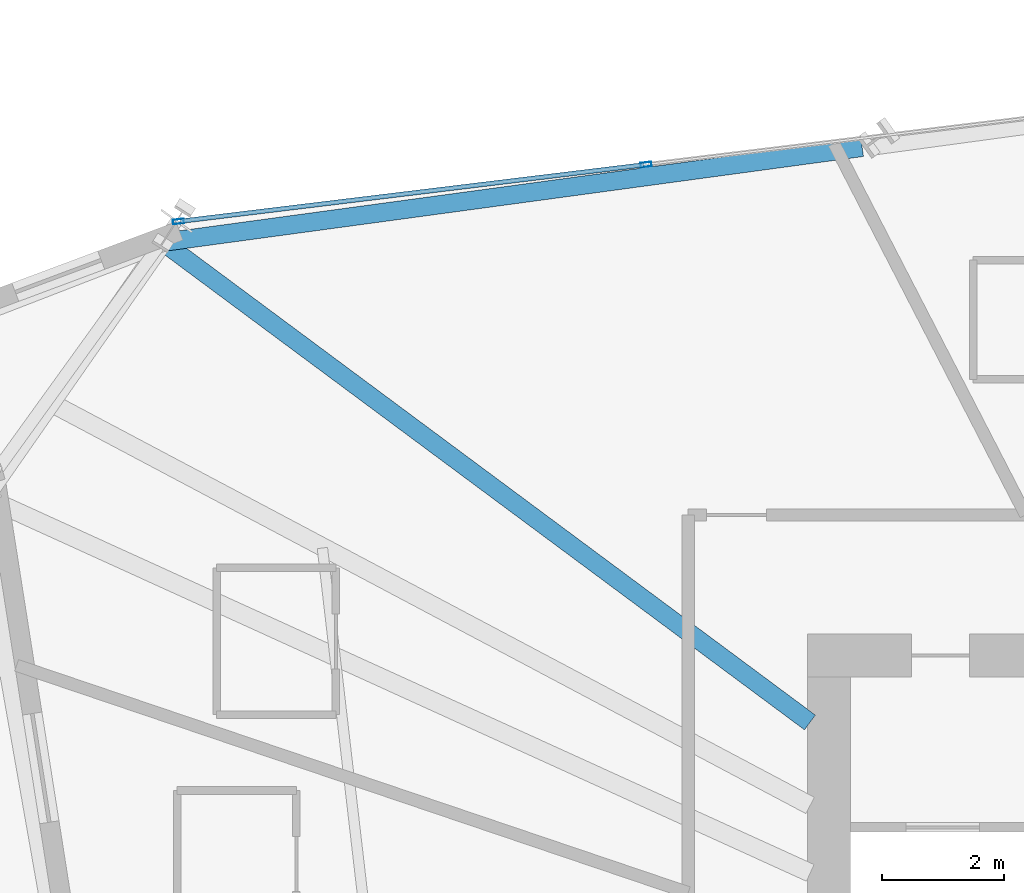
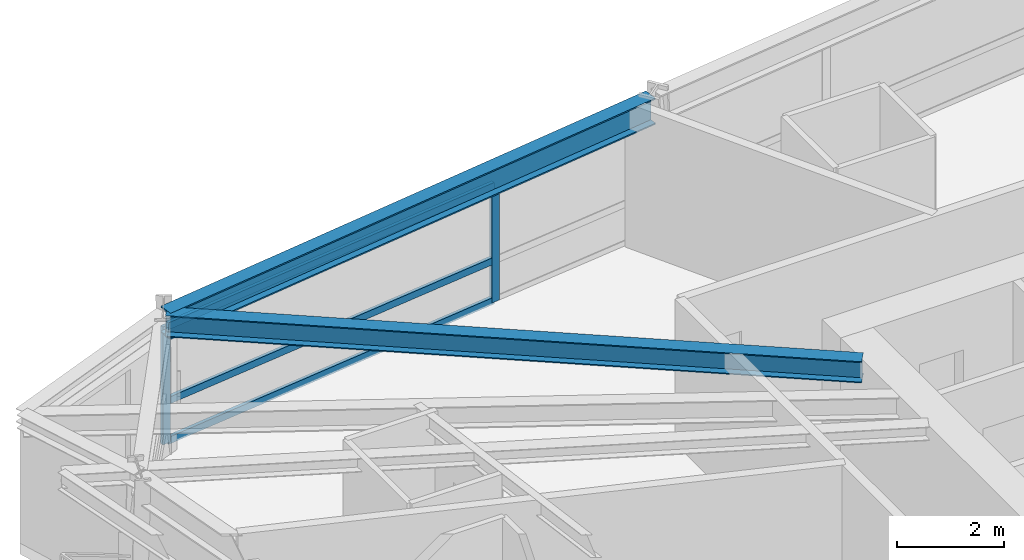
# One storey, part 6 of 18: 5 members, 2 beams, 1 element without a shape of its own.
"""IFC4 building model written with IfcOpenShell, lengths in metres."""

from ifc_helpers import new_model, si_unit, direction, frame, origin, origin_2d, place, context, subcontext, project, spatial, hollow_rectangle, i_section, extrude, source, transform, mapped, material, material_profile, profile_set, type_object, element, aggregate, save


model = new_model("IFC4")

# Units and contexts
model_context = context("Model", 3, precision=1e-05, world=origin(), true_north=direction((0.0, 1.0)))
body_context = subcontext(model_context, "Body", "Model", "MODEL_VIEW")
ifc_project = project(units=[si_unit("LENGTHUNIT", "METRE"), si_unit("AREAUNIT", "SQUARE_METRE"), si_unit("VOLUMEUNIT", "CUBIC_METRE"), si_unit("PLANEANGLEUNIT", "RADIAN"), si_unit("MASSUNIT", "GRAM", prefix="KILO")], contexts=[model_context])

# Site, building, storey
site_placement = place(None, origin())
site = spatial("IfcSite", under=ifc_project, at=site_placement, CompositionType="ELEMENT")
building_placement = place(site_placement, origin())
building = spatial("IfcBuilding", under=site, at=building_placement, Name="Olszyna Solenne Hotel", CompositionType="ELEMENT")
storey_placement = place(building_placement, frame((0.0, 0.0, 123.449951171875)))
storey = spatial("IfcBuildingStorey", under=building, at=storey_placement, Name="L32", CompositionType="ELEMENT", Elevation=123.449951171875)

# Beams
ifc_material_1 = material(Name="Steel S355J2", Category="steel")
ifc_material_profile_1 = material_profile(ifc_material_1, i_section(OverallWidth=0.300048828125, OverallDepth=0.60009765625, WebThickness=0.015380859375, FlangeThickness=0.030029296875, at=origin_2d()), Name="HEB 600", Category="load-bearing")
ifc_profile_set_1 = profile_set([ifc_material_profile_1], Name="Steel S355J2")
beam_type_1 = type_object("IfcBeamType", Name="BM-S2", PredefinedType="BEAM", material=ifc_profile_set_1)
shared_shape_1 = source(origin(), body_context, "Body", "SweptSolid", [
    extrude(i_section(OverallWidth=0.300048828125, OverallDepth=0.60009765625, WebThickness=0.015380859375, FlangeThickness=0.030029296875, at=origin_2d()), origin(), (0.0, 0.0, 1.0), 11.478759765625),
])
beam_1_placement = place(storey_placement, frame((30.294921875, 42.3603515625, 3.0), z_axis=(-0.990918739975, -0.13446207929, 0.0), x_axis=(0.13446207929, -0.990918739975, 0.0)))
element("IfcBeam", 1, at=beam_1_placement, inside=storey, type_object=beam_type_1, Name="Perimeter spandrel beam BM-S2 B-L32-0960", PredefinedType="BEAM", context=body_context, shape_type="MappedRepresentation", body=[
    mapped(shared_shape_1, transform((0.0, 0.0, 0.0), x_axis=(1.0, 0.0, 0.0), y_axis=(0.0, 1.0, 0.0), z_axis=(0.0, 0.0, 1.0), scale=1.0)),
])
ifc_material_profile_2 = material_profile(ifc_material_1, i_section(OverallWidth=0.300048828125, OverallDepth=0.489990234375, WebThickness=0.011962890625, FlangeThickness=0.02294921875, at=origin_2d()), Name="HEA 500", Category="load-bearing")
ifc_profile_set_2 = profile_set([ifc_material_profile_2], Name="Steel S355J2")
beam_type_2 = type_object("IfcBeamType", Name="BM-G1", PredefinedType="BEAM", material=ifc_profile_set_2)
shared_shape_2 = source(origin(), body_context, "Body", "SweptSolid", [
    extrude(i_section(OverallWidth=0.300048828125, OverallDepth=0.489990234375, WebThickness=0.011962890625, FlangeThickness=0.02294921875, at=origin_2d()), origin(), (0.0, 0.0, 1.0), 13.11572265625),
])
beam_2_placement = place(storey_placement, frame((18.9091796875, 40.77294921875, 3.054931640625), z_axis=(0.802923295124, -0.596082361882, 0.0), x_axis=(0.596082361882, 0.802923295124, 0.0)))
element("IfcBeam", 2, at=beam_2_placement, inside=storey, type_object=beam_type_2, Name="Radial floor girder BM-G1 B-L32-0972", PredefinedType="BEAM", context=body_context, shape_type="MappedRepresentation", body=[
    mapped(shared_shape_2, transform((0.0, 0.0, 0.0), x_axis=(1.0, 0.0, 0.0), y_axis=(0.0, 1.0, 0.0), z_axis=(0.0, 0.0, 1.0), scale=1.0)),
])

# Curtain wall, members
ifc_material_2 = material(Name="Anodised bronze aluminium", Category="aluminium")
curtain_wall_type = type_object("IfcCurtainWallType", Name="CW-SYS-3", PredefinedType="NOTDEFINED", material=ifc_material_2)
curtain_wall_placement = place(storey_placement, origin())
curtain_wall = element("IfcCurtainWall", 3, at=curtain_wall_placement, inside=storey, type_object=curtain_wall_type, Name="Unitised curtain wall CW-SYS-3 CW-L32-02", PredefinedType="NOTDEFINED")
ifc_material_profile_3 = material_profile(ifc_material_2, hollow_rectangle(XDim=0.074951171875, YDim=0.179931640625, WallThickness=0.00439453125, at=origin_2d()), Name="MULL 180x75x4.5", Category="load-bearing")
ifc_profile_set_3 = profile_set([ifc_material_profile_3], Name="Anodised bronze aluminium")
member_type_1 = type_object("IfcMemberType", Name="CW-M2", PredefinedType="MULLION", material=ifc_profile_set_3)
shared_shape_3 = source(origin(), body_context, "Body", "SweptSolid", [
    extrude(hollow_rectangle(XDim=0.074951171875, YDim=0.179931640625, WallThickness=0.00439453125, at=origin_2d()), origin(), (0.0, 0.0, 1.0), 2.692138671875),
])
member_1_placement = place(storey_placement, frame((19.110595703125, 41.148193359375, 0.0), z_axis=(0.0, 0.0, 1.0), x_axis=(-0.120877245476, 0.992667462711, 0.0)))
member_1 = element("IfcMember", 4, at=member_1_placement, type_object=member_type_1, Name="Curtain-wall mullion CW-M2 CM-L32-02-01", PredefinedType="MULLION", context=body_context, shape_type="MappedRepresentation", body=[
    mapped(shared_shape_3, transform((0.0, 0.0, 0.0), x_axis=(1.0, 0.0, 0.0), y_axis=(0.0, 1.0, 0.0), z_axis=(0.0, 0.0, 1.0), scale=1.0)),
])
member_2_placement = place(storey_placement, frame((26.75927734375, 42.07958984375, 0.0), z_axis=(0.0, 0.0, 1.0), x_axis=(-0.120877245476, 0.992667462711, 0.0)))
member_2 = element("IfcMember", 5, at=member_2_placement, type_object=member_type_1, Name="Curtain-wall mullion CW-M2 CM-L32-02-02", PredefinedType="MULLION", context=body_context, shape_type="MappedRepresentation", body=[
    mapped(shared_shape_3, transform((0.0, 0.0, 0.0), x_axis=(1.0, 0.0, 0.0), y_axis=(0.0, 1.0, 0.0), z_axis=(0.0, 0.0, 1.0), scale=1.0)),
])
ifc_material_profile_4 = material_profile(ifc_material_2, hollow_rectangle(XDim=0.074951171875, YDim=0.159912109375, WallThickness=0.00390625, at=origin_2d()), Name="TRAN 160x75x4", Category="load-bearing")
ifc_profile_set_4 = profile_set([ifc_material_profile_4], Name="Anodised bronze aluminium")
member_type_2 = type_object("IfcMemberType", Name="CW-T1", PredefinedType="USERDEFINED", material=ifc_profile_set_4)
shared_shape_4 = source(origin(), body_context, "Body", "SweptSolid", [
    extrude(hollow_rectangle(XDim=0.074951171875, YDim=0.159912109375, WallThickness=0.00390625, at=origin_2d()), origin(), (0.0, 0.0, 1.0), 7.63037109375),
])
member_3_placement = place(storey_placement, frame((19.147705078125, 41.15283203125, 0.03759765625), z_axis=(0.992667148921, 0.120879822357, 0.0), x_axis=(-0.120879822357, 0.992667148921, 0.0)))
member_3 = element("IfcMember", 6, at=member_3_placement, type_object=member_type_2, Name="Curtain-wall transom CW-T1 CT-L32-02-01", ObjectType="TRANSOM", PredefinedType="USERDEFINED", context=body_context, shape_type="MappedRepresentation", body=[
    mapped(shared_shape_4, transform((0.0, 0.0, 0.0), x_axis=(1.0, 0.0, 0.0), y_axis=(0.0, 1.0, 0.0), z_axis=(0.0, 0.0, 1.0), scale=1.0)),
])
member_4_placement = place(storey_placement, frame((19.147705078125, 41.15283203125, 0.949951171875), z_axis=(0.992667148921, 0.120879822357, 0.0), x_axis=(-0.120879822357, 0.992667148921, 0.0)))
member_4 = element("IfcMember", 7, at=member_4_placement, type_object=member_type_2, Name="Curtain-wall transom CW-T1 CT-L32-02-02", ObjectType="TRANSOM", PredefinedType="USERDEFINED", context=body_context, shape_type="MappedRepresentation", body=[
    mapped(shared_shape_4, transform((0.0, 0.0, 0.0), x_axis=(1.0, 0.0, 0.0), y_axis=(0.0, 1.0, 0.0), z_axis=(0.0, 0.0, 1.0), scale=1.0)),
])
member_5_placement = place(storey_placement, frame((19.147705078125, 41.15283203125, 2.654541015625), z_axis=(0.992667148921, 0.120879822357, 0.0), x_axis=(-0.120879822357, 0.992667148921, 0.0)))
member_5 = element("IfcMember", 8, at=member_5_placement, type_object=member_type_2, Name="Curtain-wall transom CW-T1 CT-L32-02-03", ObjectType="TRANSOM", PredefinedType="USERDEFINED", context=body_context, shape_type="MappedRepresentation", body=[
    mapped(shared_shape_4, transform((0.0, 0.0, 0.0), x_axis=(1.0, 0.0, 0.0), y_axis=(0.0, 1.0, 0.0), z_axis=(0.0, 0.0, 1.0), scale=1.0)),
])
aggregate(curtain_wall, [member_1, member_2, member_3, member_4, member_5])

save(model, "model.ifc")
